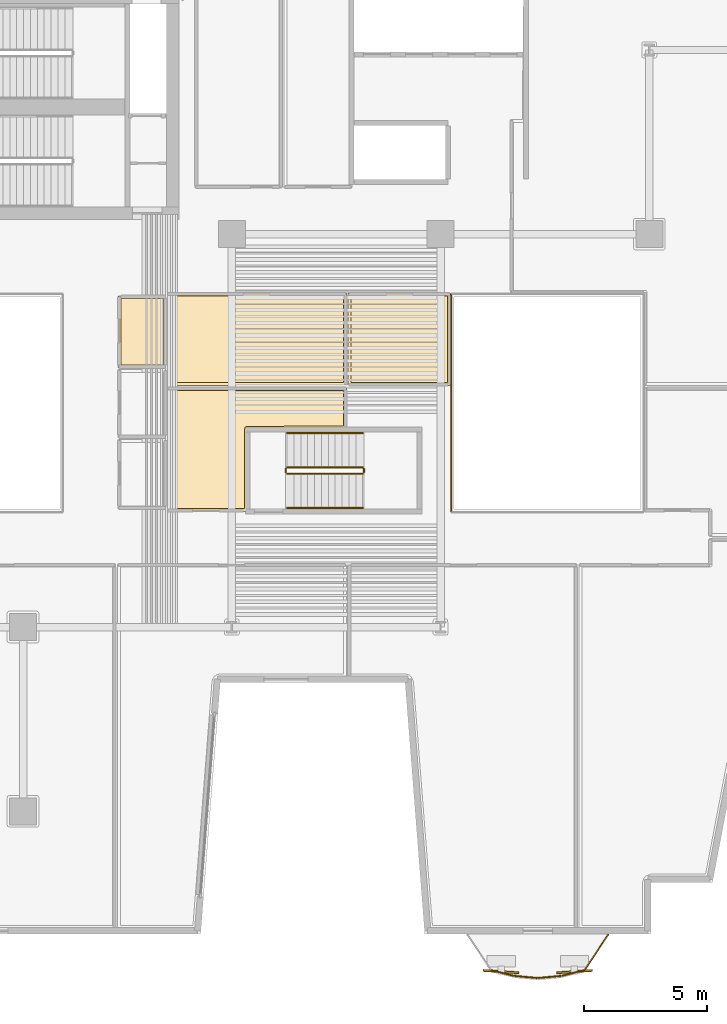
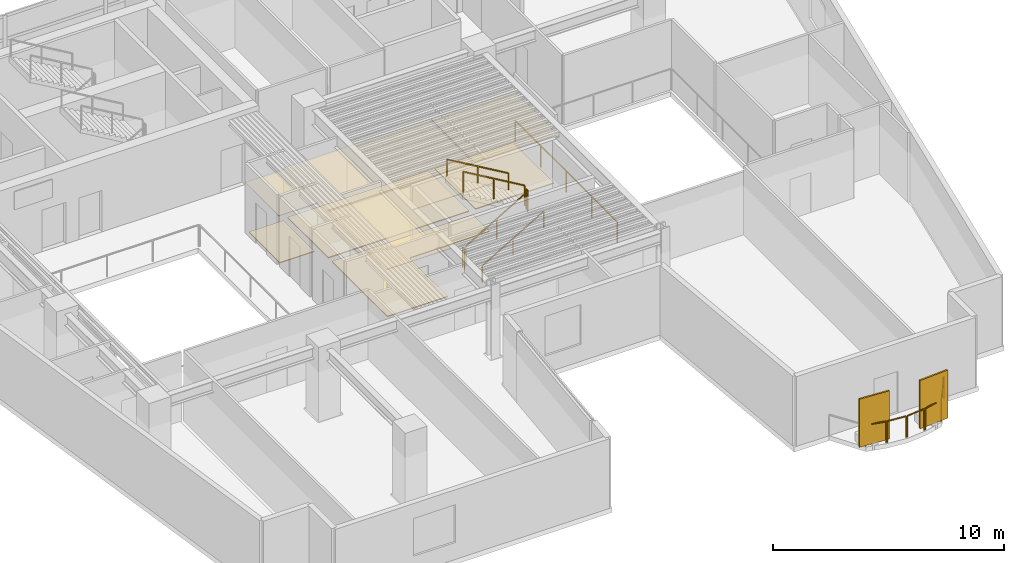
# One storey, part 10 of 13: 12 railings, 8 coverings, 2 shading devices.
"""IFC4 building model written with IfcOpenShell, lengths in metres."""

from ifc_helpers import new_model, si_unit, direction, frame, origin, origin_2d, place, context, subcontext, project, spatial, polyline, rectangle, outline, extrude, material, layer, layer_set, type_object, element, save


model = new_model("IFC4")

# Units and contexts
model_context = context("Model", 3, precision=1e-05, world=origin(), true_north=direction((0.0, 1.0)))
body_context = subcontext(model_context, "Body", "Model", "MODEL_VIEW")
ifc_project = project(units=[si_unit("LENGTHUNIT", "METRE"), si_unit("AREAUNIT", "SQUARE_METRE"), si_unit("VOLUMEUNIT", "CUBIC_METRE"), si_unit("PLANEANGLEUNIT", "RADIAN"), si_unit("MASSUNIT", "GRAM", prefix="KILO")], contexts=[model_context])

# Site, building, storey
site_placement = place(None, origin())
site = spatial("IfcSite", under=ifc_project, at=site_placement, CompositionType="ELEMENT")
building_placement = place(site_placement, origin())
building = spatial("IfcBuilding", under=site, at=building_placement, Name="Caeloran Harvest Quay", CompositionType="ELEMENT")
storey_placement = place(building_placement, frame((0.0, 0.0, 162.75)))
storey = spatial("IfcBuildingStorey", under=building, at=storey_placement, Name="L38", CompositionType="ELEMENT", Elevation=162.75)

# Coverings
ifc_material_1 = material(Name="Perforated Mineral-Fibre Acoustic Ceiling Tile", Category="ceiling")
ifc_layer_1 = layer(ifc_material_1, 0.0400390625, Name="Perforated Mineral-Fibre Acoustic Ceiling Tile")
ifc_layer_set_1 = layer_set([ifc_layer_1], Name="Perforated Mineral-Fibre Acoustic Ceiling Tile")
covering_type_1 = type_object("IfcCoveringType", Name="COV-CEILING-ACOUSTIC", PredefinedType="CEILING", material=ifc_layer_set_1)
covering_1_placement = place(storey_placement, frame((0.0, 0.0, 2.60009765625)))
element("IfcCovering", 1, at=covering_1_placement, inside=storey, type_object=covering_type_1, Name="L38 Male Washroom WC Acoustic Ceiling", PredefinedType="CEILING", context=body_context, shape_type="SweptSolid", body=[
    extrude(outline(polyline([(22.840087890625, 25.56005859375), (20.8701171875, 25.56005859375), (20.8701171875, 28.489990234375), (22.840087890625, 28.489990234375), (22.840087890625, 25.56005859375)])), origin(), (0.0, 0.0, 1.0), 0.039794921875),
])
covering_2_placement = place(storey_placement, frame((0.0, 0.0, 2.60009765625)))
element("IfcCovering", 2, at=covering_2_placement, inside=storey, type_object=covering_type_1, Name="Agro-Finance Summit Conference Hall 8 Acoustic Ceiling", PredefinedType="CEILING", context=body_context, shape_type="SweptSolid", body=[
    extrude(outline(polyline([(26.139892578125, 23.06005859375), (26.139892578125, 19.7099609375), (22.8701171875, 19.7099609375), (22.8701171875, 24.760009765625), (30.159912109375, 24.760009765625), (30.159912109375, 23.06005859375), (26.139892578125, 23.06005859375)])), origin(), (0.0, 0.0, 1.0), 0.039794921875),
])
covering_3_placement = place(storey_placement, frame((0.0, 0.0, 2.60009765625)))
element("IfcCovering", 3, at=covering_3_placement, inside=storey, type_object=covering_type_1, Name="Carbon Credit Seminar Room 9 Acoustic Ceiling", PredefinedType="CEILING", context=body_context, shape_type="SweptSolid", body=[
    extrude(outline(polyline([(22.8701171875, 28.512939453125), (22.85009765625, 28.52001953125), (22.85009765625, 28.610107421875), (30.159912109375, 28.610107421875), (30.159912109375, 24.840087890625), (22.8701171875, 24.840087890625), (22.8701171875, 28.512939453125)])), origin(), (0.0, 0.0, 1.0), 0.039794921875),
])
covering_4_placement = place(storey_placement, frame((0.0, 0.0, 2.60009765625)))
element("IfcCovering", 4, at=covering_4_placement, inside=storey, type_object=covering_type_1, Name="Commodities Briefing Boardroom 10 Acoustic Ceiling", PredefinedType="CEILING", context=body_context, shape_type="SweptSolid", body=[
    extrude(outline(polyline([(30.239990234375, 28.610107421875), (34.409912109375, 28.610107421875), (34.409912109375, 24.840087890625), (30.239990234375, 24.840087890625), (30.239990234375, 28.610107421875)])), origin(), (0.0, 0.0, 1.0), 0.039794921875),
])
ifc_material_2 = material(Name="Calcium-Sulphate Raised Access Floor and Terrazzo Finish", Category="flooring")
ifc_layer_2 = layer(ifc_material_2, 0.050048828125, Name="Calcium-Sulphate Raised Access Floor and Terrazzo Finish")
ifc_layer_set_2 = layer_set([ifc_layer_2], Name="Calcium-Sulphate Raised Access Floor and Terrazzo Finish")
covering_type_2 = type_object("IfcCoveringType", Name="COV-FLOOR-RAISED", PredefinedType="FLOORING", material=ifc_layer_set_2)
covering_5_placement = place(storey_placement, origin())
element("IfcCovering", 5, at=covering_5_placement, inside=storey, type_object=covering_type_2, Name="L38 Male Washroom WC Raised Finish Flooring", PredefinedType="FLOORING", context=body_context, shape_type="SweptSolid", body=[
    extrude(outline(polyline([(22.719970703125, 25.679931640625), (20.989990234375, 25.679931640625), (20.989990234375, 28.3701171875), (22.719970703125, 28.3701171875), (22.719970703125, 25.679931640625)])), origin(), (0.0, 0.0, 1.0), 0.050048828125),
])
covering_6_placement = place(storey_placement, origin())
element("IfcCovering", 6, at=covering_6_placement, inside=storey, type_object=covering_type_2, Name="Agro-Finance Summit Conference Hall 8 Raised Finish Flooring", PredefinedType="FLOORING", context=body_context, shape_type="SweptSolid", body=[
    extrude(outline(polyline([(26.101806640625, 23.17626953125), (26.04248046875, 23.13671875), (26.02001953125, 23.070068359375), (26.02001953125, 19.830078125), (22.989990234375, 19.830078125), (22.989990234375, 24.639892578125), (30.0400390625, 24.639892578125), (30.0400390625, 23.179931640625), (26.101806640625, 23.17626953125)])), origin(), (0.0, 0.0, 1.0), 0.050048828125),
])
covering_7_placement = place(storey_placement, origin())
element("IfcCovering", 7, at=covering_7_placement, inside=storey, type_object=covering_type_2, Name="Carbon Credit Seminar Room 9 Raised Finish Flooring", PredefinedType="FLOORING", context=body_context, shape_type="SweptSolid", body=[
    extrude(outline(polyline([(22.989990234375, 28.489990234375), (30.0400390625, 28.489990234375), (30.0400390625, 24.9599609375), (22.989990234375, 24.9599609375), (22.989990234375, 28.489990234375)])), origin(), (0.0, 0.0, 1.0), 0.050048828125),
])
covering_8_placement = place(storey_placement, origin())
element("IfcCovering", 8, at=covering_8_placement, inside=storey, type_object=covering_type_2, Name="Commodities Briefing Boardroom 10 Raised Finish Flooring", PredefinedType="FLOORING", context=body_context, shape_type="SweptSolid", body=[
    extrude(outline(polyline([(30.360107421875, 28.489990234375), (34.2900390625, 28.489990234375), (34.2900390625, 24.9599609375), (30.360107421875, 24.9599609375), (30.360107421875, 28.489990234375)])), origin(), (0.0, 0.0, 1.0), 0.050048828125),
])

# Railings
ifc_material_3 = material(Name="Powder-Coated Steel Post and Laminated Glass Guardrail", Category="steel")
ifc_layer_3 = layer(ifc_material_3, 0.06005859375, Name="Powder-Coated Steel Post and Laminated Glass Guardrail")
ifc_layer_set_3 = layer_set([ifc_layer_3], Name="Powder-Coated Steel Post and Laminated Glass Guardrail")
railing_type_1 = type_object("IfcRailingType", Name="GUARD-ATRIUM-1150", PredefinedType="GUARDRAIL", material=ifc_layer_set_3)
railing_1_placement = place(storey_placement, frame((34.429931640625, 28.5380859375, 0.0)))
element("IfcRailing", 9, at=railing_1_placement, inside=storey, type_object=railing_type_1, Name="L38 East Botanical Lightwell Guardrail Seg 4", PredefinedType="GUARDRAIL", context=body_context, shape_type="SweptSolid", body=[
    extrude(rectangle(XDim=0.048095703125, YDim=0.048095703125, at=origin_2d()), frame((0.0, 0.0, 1.1259765625), z_axis=(0.0, -1.0, 0.0), x_axis=(1.0, 0.0, 0.0)), (0.0, 0.0, 1.0), 8.826171875),
    extrude(rectangle(XDim=0.0419921875, YDim=0.0419921875, at=origin_2d()), origin(), (0.0, 0.0, 1.0), 1.101806640625),
    extrude(rectangle(XDim=0.0419921875, YDim=0.0419921875, at=origin_2d()), frame((0.0, -2.20654296875, 0.0)), (0.0, 0.0, 1.0), 1.101806640625),
    extrude(rectangle(XDim=0.0419921875, YDim=0.0419921875, at=origin_2d()), frame((0.0, -4.4130859375, 0.0)), (0.0, 0.0, 1.0), 1.101806640625),
    extrude(rectangle(XDim=0.0419921875, YDim=0.0419921875, at=origin_2d()), frame((0.0, -6.61962890625, 0.0)), (0.0, 0.0, 1.0), 1.101806640625),
    extrude(rectangle(XDim=0.0419921875, YDim=0.0419921875, at=origin_2d()), frame((0.0, -8.826171875, 0.0)), (0.0, 0.0, 1.0), 1.101806640625),
])
ifc_material_4 = material(Name="Laminated Safety Glass and Stainless Steel 316", Category="steel")
ifc_layer_4 = layer(ifc_material_4, 0.06005859375, Name="Laminated Safety Glass and Stainless Steel 316")
ifc_layer_set_4 = layer_set([ifc_layer_4], Name="Laminated Safety Glass and Stainless Steel 316")
railing_type_2 = type_object("IfcRailingType", Name="GUARD-BALUSTRADE-1150", PredefinedType="BALUSTRADE", material=ifc_layer_set_4)
railing_2_placement = place(storey_placement, frame((40.825927734375, 2.47998046875, 0.0)))
element("IfcRailing", 10, at=railing_2_placement, inside=storey, type_object=railing_type_2, Name="L38 Planted Balcony Perimeter Balustrade Guard Seg 1", PredefinedType="BALUSTRADE", context=body_context, shape_type="SweptSolid", body=[
    extrude(rectangle(XDim=0.048095703125, YDim=0.048095703125, at=origin_2d()), frame((0.0, 0.0, 1.1259765625), z_axis=(-0.551847813959, -0.833944836443, 0.0), x_axis=(0.833944836443, -0.551847813959, 0.0)), (0.0, 0.0, 1.0), 1.70068359375),
    extrude(rectangle(XDim=0.0419921875, YDim=0.0419921875, at=origin_2d()), origin(), (0.0, 0.0, 1.0), 1.101806640625),
    extrude(rectangle(XDim=0.0419921875, YDim=0.0419921875, at=origin_2d()), frame((-0.9384765625, -1.418212890625, 0.0)), (0.0, 0.0, 1.0), 1.101806640625),
])
railing_3_placement = place(storey_placement, frame((39.838623046875, 1.02734375, 0.0)))
element("IfcRailing", 11, at=railing_3_placement, inside=storey, type_object=railing_type_2, Name="L38 Planted Balcony Perimeter Balustrade Guard Seg 2", PredefinedType="BALUSTRADE", context=body_context, shape_type="SweptSolid", body=[
    extrude(rectangle(XDim=0.048095703125, YDim=0.048095703125, at=origin_2d()), frame((0.0, 0.0, 1.1259765625), z_axis=(-0.970344846007, -0.241724801846, 0.0), x_axis=(0.241724801846, -0.970344846007, 0.0)), (0.0, 0.0, 1.0), 0.921142578125),
    extrude(rectangle(XDim=0.0419921875, YDim=0.0419921875, at=origin_2d()), origin(), (0.0, 0.0, 1.0), 1.101806640625),
    extrude(rectangle(XDim=0.0419921875, YDim=0.0419921875, at=origin_2d()), frame((-0.893798828125, -0.22265625, 0.0)), (0.0, 0.0, 1.0), 1.101806640625),
])
railing_4_placement = place(storey_placement, frame((38.8818359375, 0.794189453125, 0.0)))
element("IfcRailing", 12, at=railing_4_placement, inside=storey, type_object=railing_type_2, Name="L38 Planted Balcony Perimeter Balustrade Guard Seg 3", PredefinedType="BALUSTRADE", context=body_context, shape_type="SweptSolid", body=[
    extrude(rectangle(XDim=0.048095703125, YDim=0.048095703125, at=origin_2d()), frame((0.0, 0.0, 1.1259765625), z_axis=(-0.995875320235, -0.090732279518, 0.0), x_axis=(0.090732279518, -0.995875320235, 0.0)), (0.0, 0.0, 1.0), 0.89599609375),
    extrude(rectangle(XDim=0.0419921875, YDim=0.0419921875, at=origin_2d()), origin(), (0.0, 0.0, 1.0), 1.101806640625),
    extrude(rectangle(XDim=0.0419921875, YDim=0.0419921875, at=origin_2d()), frame((-0.892333984375, -0.081298828125, 0.0)), (0.0, 0.0, 1.0), 1.101806640625),
])
railing_5_placement = place(storey_placement, frame((37.925537109375, 0.712890625, 0.0)))
element("IfcRailing", 13, at=railing_5_placement, inside=storey, type_object=railing_type_2, Name="L38 Planted Balcony Perimeter Balustrade Guard Seg 4", PredefinedType="BALUSTRADE", context=body_context, shape_type="SweptSolid", body=[
    extrude(rectangle(XDim=0.048095703125, YDim=0.048095703125, at=origin_2d()), frame((0.0, 0.0, 1.1259765625), z_axis=(-0.995875320235, 0.090732279518, 0.0), x_axis=(-0.090732279518, -0.995875320235, 0.0)), (0.0, 0.0, 1.0), 0.89599609375),
    extrude(rectangle(XDim=0.0419921875, YDim=0.0419921875, at=origin_2d()), origin(), (0.0, 0.0, 1.0), 1.101806640625),
    extrude(rectangle(XDim=0.0419921875, YDim=0.0419921875, at=origin_2d()), frame((-0.892333984375, 0.081298828125, 0.0)), (0.0, 0.0, 1.0), 1.101806640625),
])
railing_6_placement = place(storey_placement, frame((36.97021484375, 0.8046875, 0.0)))
element("IfcRailing", 14, at=railing_6_placement, inside=storey, type_object=railing_type_2, Name="L38 Planted Balcony Perimeter Balustrade Guard Seg 5", PredefinedType="BALUSTRADE", context=body_context, shape_type="SweptSolid", body=[
    extrude(rectangle(XDim=0.048095703125, YDim=0.048095703125, at=origin_2d()), frame((0.0, 0.0, 1.1259765625), z_axis=(-0.970344846007, 0.241724801846, 0.0), x_axis=(-0.241724801846, -0.970344846007, 0.0)), (0.0, 0.0, 1.0), 0.921142578125),
    extrude(rectangle(XDim=0.0419921875, YDim=0.0419921875, at=origin_2d()), origin(), (0.0, 0.0, 1.0), 1.101806640625),
    extrude(rectangle(XDim=0.0419921875, YDim=0.0419921875, at=origin_2d()), frame((-0.893798828125, 0.22265625, 0.0)), (0.0, 0.0, 1.0), 1.101806640625),
])

# Shading devices
ifc_material_5 = material(Name="3003-H14 Perforated Powder-Coated Aluminium", Category="aluminium")
shading_device_type = type_object("IfcShadingDeviceType", Name="SHADE-SCREEN-FOLDED", PredefinedType="USERDEFINED", material=ifc_material_5)
for number, where, z_axis, x_axis, name in (
    (15, (39.44921875, 0.969970703125, 0.0751953125), (0.0, 0.0, 1.0), (0.997801468292, 0.0662739004, 0.0), "L38 Folded Facade Breathing Screen 1"),
    (16, (36.4658203125, 0.969970703125, 0.0751953125), (0.0, 0.0, 1.0), (0.997801468292, -0.0662739004, 0.0), "L38 Folded Facade Breathing Screen 2"),
):
    element("IfcShadingDevice", number, at=place(storey_placement, frame(where, z_axis=z_axis, x_axis=x_axis)), inside=storey, type_object=shading_device_type, Name=name, ObjectType="SCREEN", PredefinedType="USERDEFINED", context=body_context, shape_type="SweptSolid", body=[
        extrude(rectangle(XDim=1.449951171875, YDim=0.080078125, at=origin_2d()), origin(), (0.0, 0.0, 1.0), 2.550048828125),
    ])

# Railings
ifc_material_6 = material(Name="Painted Steel Baluster and Top-Rail Stair Guard", Category="steel")
ifc_layer_5 = layer(ifc_material_6, 0.050048828125, Name="Painted Steel Baluster and Top-Rail Stair Guard")
ifc_layer_set_5 = layer_set([ifc_layer_5], Name="Painted Steel Baluster and Top-Rail Stair Guard")
railing_type_3 = type_object("IfcRailingType", Name="STAIR-GUARD-1100", PredefinedType="GUARDRAIL", material=ifc_layer_set_5)
railing_7_placement = place(storey_placement, frame((27.75, 21.25, 0.16455078125)))
element("IfcRailing", 17, at=railing_7_placement, inside=storey, type_object=railing_type_3, Name="L38 ST-W1 stair guard 1", PredefinedType="GUARDRAIL", context=body_context, shape_type="SweptSolid", body=[
    extrude(rectangle(XDim=0.048095703125, YDim=0.048095703125, at=origin_2d()), frame((0.0, 0.0, 1.076171875), z_axis=(0.862088758681, 0.0, 0.506757310905), x_axis=(0.0, 1.0, 0.0)), (0.0, 0.0, 1.0), 3.57275390625),
    extrude(rectangle(XDim=0.0419921875, YDim=0.0419921875, at=origin_2d()), origin(), (0.0, 0.0, 1.0), 1.052001953125),
    extrude(rectangle(XDim=0.0419921875, YDim=0.0419921875, at=origin_2d()), frame((1.5400390625, 0.0, 0.9052734375)), (0.0, 0.0, 1.0), 1.052001953125),
    extrude(rectangle(XDim=0.0419921875, YDim=0.0419921875, at=origin_2d()), frame((3.080078125, 0.0, 1.810546875)), (0.0, 0.0, 1.0), 1.052001953125),
])
railing_8_placement = place(storey_placement, frame((30.8798828125, 21.300048828125, 1.97509765625)))
element("IfcRailing", 18, at=railing_8_placement, inside=storey, type_object=railing_type_3, Name="L38 ST-W1 stair guard 2", PredefinedType="GUARDRAIL", context=body_context, shape_type="SweptSolid", body=[
    extrude(rectangle(XDim=0.048095703125, YDim=0.048095703125, at=origin_2d()), frame((0.0, 0.0, 1.076171875), z_axis=(0.0, 1.0, 0.0), x_axis=(-1.0, 0.0, 0.0)), (0.0, 0.0, 1.0), 0.14990234375),
    extrude(rectangle(XDim=0.0419921875, YDim=0.0419921875, at=origin_2d()), origin(), (0.0, 0.0, 1.0), 1.052001953125),
    extrude(rectangle(XDim=0.0419921875, YDim=0.0419921875, at=origin_2d()), frame((0.0, 0.14990234375, 0.0)), (0.0, 0.0, 1.0), 1.052001953125),
])
railing_9_placement = place(storey_placement, frame((30.830078125, 21.5, 2.1396484375)))
element("IfcRailing", 19, at=railing_9_placement, inside=storey, type_object=railing_type_3, Name="L38 ST-W1 stair guard 3", PredefinedType="GUARDRAIL", context=body_context, shape_type="SweptSolid", body=[
    extrude(rectangle(XDim=0.048095703125, YDim=0.048095703125, at=origin_2d()), frame((0.0, 0.0, 1.076171875), z_axis=(-0.862118610829, 0.0, 0.506706523406), x_axis=(0.0, -1.0, 0.0)), (0.0, 0.0, 1.0), 3.57275390625),
    extrude(rectangle(XDim=0.0419921875, YDim=0.0419921875, at=origin_2d()), origin(), (0.0, 0.0, 1.0), 1.052001953125),
    extrude(rectangle(XDim=0.0419921875, YDim=0.0419921875, at=origin_2d()), frame((-1.5400390625, 0.0, 0.9052734375)), (0.0, 0.0, 1.0), 1.052001953125),
    extrude(rectangle(XDim=0.0419921875, YDim=0.0419921875, at=origin_2d()), frame((-3.080078125, 0.0, 1.810302734375)), (0.0, 0.0, 1.0), 1.052001953125),
])
railing_10_placement = place(storey_placement, frame((27.699951171875, 21.300048828125, 0.0)))
element("IfcRailing", 20, at=railing_10_placement, inside=storey, type_object=railing_type_3, Name="L38 ST-W1 stair guard 4", PredefinedType="GUARDRAIL", context=body_context, shape_type="SweptSolid", body=[
    extrude(rectangle(XDim=0.048095703125, YDim=0.048095703125, at=origin_2d()), frame((0.0, 0.0, 1.076171875), z_axis=(0.0, 1.0, 0.0), x_axis=(-1.0, 0.0, 0.0)), (0.0, 0.0, 1.0), 0.14990234375),
    extrude(rectangle(XDim=0.0419921875, YDim=0.0419921875, at=origin_2d()), origin(), (0.0, 0.0, 1.0), 1.052001953125),
    extrude(rectangle(XDim=0.0419921875, YDim=0.0419921875, at=origin_2d()), frame((0.0, 0.14990234375, 0.0)), (0.0, 0.0, 1.0), 1.052001953125),
])
ifc_material_7 = material(Name="Brushed Stainless Steel Grade 304", Category="steel")
ifc_layer_6 = layer(ifc_material_7, 0.050048828125, Name="Brushed Stainless Steel Grade 304")
ifc_layer_set_6 = layer_set([ifc_layer_6], Name="Brushed Stainless Steel Grade 304")
railing_type_4 = type_object("IfcRailingType", Name="STAIR-HANDRAIL-900", PredefinedType="HANDRAIL", material=ifc_layer_set_6)
railing_11_placement = place(storey_placement, frame((27.75, 19.85009765625, 0.16455078125)))
element("IfcRailing", 21, at=railing_11_placement, inside=storey, type_object=railing_type_4, Name="L38 ST-W1 stair handrail 1", PredefinedType="HANDRAIL", context=body_context, shape_type="SweptSolid", body=[
    extrude(rectangle(XDim=0.048095703125, YDim=0.048095703125, at=origin_2d()), frame((0.0, 0.0, 0.8759765625), z_axis=(0.862088758681, 0.0, 0.506757310905), x_axis=(0.0, 1.0, 0.0)), (0.0, 0.0, 1.0), 3.57275390625),
    extrude(rectangle(XDim=0.0419921875, YDim=0.0419921875, at=origin_2d()), origin(), (0.0, 0.0, 1.0), 0.851806640625),
    extrude(rectangle(XDim=0.0419921875, YDim=0.0419921875, at=origin_2d()), frame((1.5400390625, 0.0, 0.9052734375)), (0.0, 0.0, 1.0), 0.851806640625),
    extrude(rectangle(XDim=0.0419921875, YDim=0.0419921875, at=origin_2d()), frame((3.080078125, 0.0, 1.810546875)), (0.0, 0.0, 1.0), 0.851806640625),
])
railing_12_placement = place(storey_placement, frame((30.830078125, 22.89990234375, 2.1396484375)))
element("IfcRailing", 22, at=railing_12_placement, inside=storey, type_object=railing_type_4, Name="L38 ST-W1 stair handrail 2", PredefinedType="HANDRAIL", context=body_context, shape_type="SweptSolid", body=[
    extrude(rectangle(XDim=0.048095703125, YDim=0.048095703125, at=origin_2d()), frame((0.0, 0.0, 0.8759765625), z_axis=(-0.862118610829, 0.0, 0.506706523406), x_axis=(0.0, -1.0, 0.0)), (0.0, 0.0, 1.0), 3.57275390625),
    extrude(rectangle(XDim=0.0419921875, YDim=0.0419921875, at=origin_2d()), origin(), (0.0, 0.0, 1.0), 0.851806640625),
    extrude(rectangle(XDim=0.0419921875, YDim=0.0419921875, at=origin_2d()), frame((-1.5400390625, 0.0, 0.9052734375)), (0.0, 0.0, 1.0), 0.851806640625),
    extrude(rectangle(XDim=0.0419921875, YDim=0.0419921875, at=origin_2d()), frame((-3.080078125, 0.0, 1.810302734375)), (0.0, 0.0, 1.0), 0.851806640625),
])

save(model, "model.ifc")
